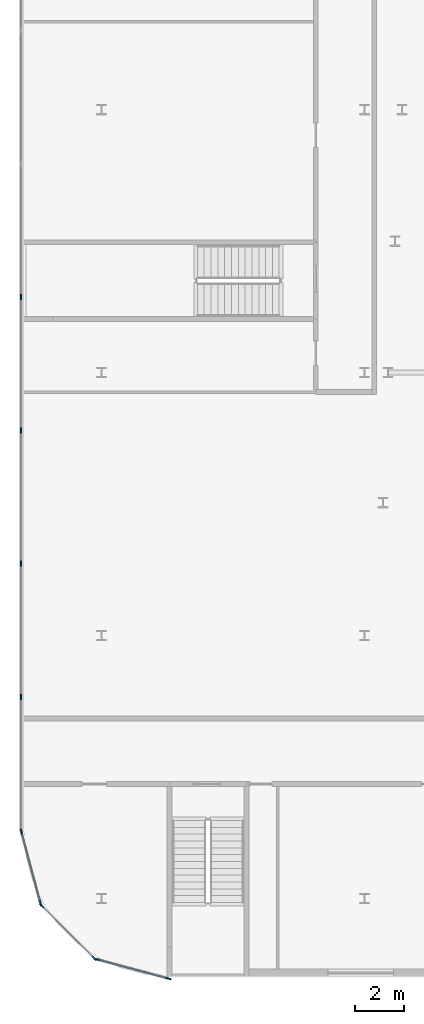
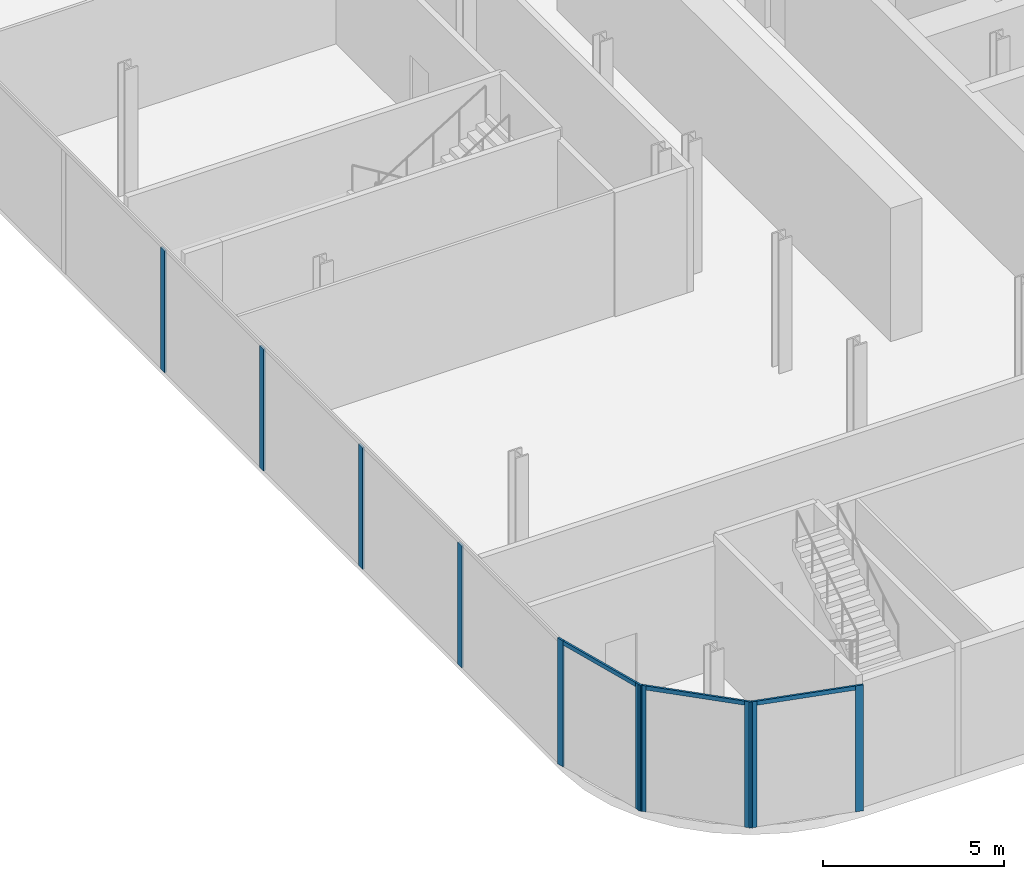
# One storey, part 6 of 47: 13 members, 4 elements without a shape of their own.
"""IFC4 building model written with IfcOpenShell, lengths in metres."""

from ifc_helpers import new_model, si_unit, direction, frame, origin, origin_2d, place, context, subcontext, project, spatial, rectangle, extrude, material, layer, layer_set, material_profile, profile_set, type_object, element, aggregate, save


model = new_model("IFC4")

# Units and contexts
model_context = context("Model", 3, precision=1e-05, world=origin(), true_north=direction((0.0, 1.0)))
body_context = subcontext(model_context, "Body", "Model", "MODEL_VIEW")
ifc_project = project(units=[si_unit("LENGTHUNIT", "METRE"), si_unit("AREAUNIT", "SQUARE_METRE"), si_unit("VOLUMEUNIT", "CUBIC_METRE"), si_unit("PLANEANGLEUNIT", "RADIAN"), si_unit("MASSUNIT", "GRAM", prefix="KILO")], contexts=[model_context])

# Site, building, storey
site_placement = place(None, origin())
site = spatial("IfcSite", under=ifc_project, at=site_placement, CompositionType="ELEMENT")
building_placement = place(site_placement, origin())
building = spatial("IfcBuilding", under=site, at=building_placement, Name="Kheshtan School and Residences Tower", CompositionType="ELEMENT")
storey_placement = place(building_placement, frame((0.0, 0.0, 21.5)))
storey = spatial("IfcBuildingStorey", under=building, at=storey_placement, Name="L04", CompositionType="ELEMENT", Elevation=21.5)

# Curtain wall, members
ifc_material_1 = material(Name="Clear low-e glass in thermally broken aluminium frame", Category="aluminium")
ifc_layer = layer(ifc_material_1, 0.22509765625)
ifc_layer_set = layer_set([ifc_layer], Name="Curtain wall CW-P")
curtain_wall_type = type_object("IfcCurtainWallType", Name="Curtain wall CW-P", PredefinedType="NOTDEFINED", material=ifc_layer_set)
curtain_wall_1_placement = place(storey_placement, origin())
curtain_wall_1 = element("IfcCurtainWall", 1, at=curtain_wall_1_placement, inside=storey, type_object=curtain_wall_type, Name="Curtain wall CWP13a", PredefinedType="NOTDEFINED")
ifc_material_2 = material(Name="Thermally broken aluminium, dark bronze anodised", Category="aluminium")
ifc_material_profile_1 = material_profile(ifc_material_2, rectangle(XDim=0.06005859375, YDim=0.22509765625, at=origin_2d()), Name="CW-P mullion 60x225")
ifc_profile_set_1 = profile_set([ifc_material_profile_1], Name="Thermally broken aluminium, dark bronze anodised")
member_type_1 = type_object("IfcMemberType", Name="CW-P mullion 60x225", PredefinedType="MULLION", material=ifc_profile_set_1)
member_1_placement = place(storey_placement, frame((17.945068359375, 9.9111328125, 0.0), z_axis=(0.0, 0.0, 1.0), x_axis=(-0.258864833085, -0.965913556273, 0.0)))
member_1 = element("IfcMember", 2, at=member_1_placement, type_object=member_type_1, Name="CWP13a mullion 1", PredefinedType="MULLION", context=body_context, shape_type="SweptSolid", body=[
    extrude(rectangle(XDim=0.06005859375, YDim=0.22509765625, at=origin_2d()), origin(), (0.0, 0.0, 1.0), 4.25),
])
member_2_placement = place(storey_placement, frame((15.003173828125, 10.69970703125, 0.0), z_axis=(0.0, 0.0, 1.0), x_axis=(-0.258864833085, -0.965913556273, 0.0)))
member_2 = element("IfcMember", 3, at=member_2_placement, type_object=member_type_1, Name="CWP13a mullion 2", PredefinedType="MULLION", context=body_context, shape_type="SweptSolid", body=[
    extrude(rectangle(XDim=0.06005859375, YDim=0.22509765625, at=origin_2d()), origin(), (0.0, 0.0, 1.0), 4.25),
])

curtain_wall_2_placement = place(storey_placement, origin())
curtain_wall_2 = element("IfcCurtainWall", 4, at=curtain_wall_2_placement, inside=storey, type_object=curtain_wall_type, Name="Curtain wall CWP14a", PredefinedType="NOTDEFINED")
member_3_placement = place(storey_placement, frame((14.907958984375, 10.75439453125, 0.0), z_axis=(0.0, 0.0, 1.0), x_axis=(-0.707106781187, -0.707106781187, 0.0)))
member_3 = element("IfcMember", 5, at=member_3_placement, type_object=member_type_1, Name="CWP14a mullion 1", PredefinedType="MULLION", context=body_context, shape_type="SweptSolid", body=[
    extrude(rectangle(XDim=0.06005859375, YDim=0.22509765625, at=origin_2d()), origin(), (0.0, 0.0, 1.0), 4.25),
])
member_4_placement = place(storey_placement, frame((12.75439453125, 12.907958984375, 0.0), z_axis=(0.0, 0.0, 1.0), x_axis=(-0.707106781187, -0.707106781187, 0.0)))
member_4 = element("IfcMember", 6, at=member_4_placement, type_object=member_type_1, Name="CWP14a mullion 2", PredefinedType="MULLION", context=body_context, shape_type="SweptSolid", body=[
    extrude(rectangle(XDim=0.06005859375, YDim=0.22509765625, at=origin_2d()), origin(), (0.0, 0.0, 1.0), 4.25),
])

curtain_wall_3_placement = place(storey_placement, origin())
curtain_wall_3 = element("IfcCurtainWall", 7, at=curtain_wall_3_placement, inside=storey, type_object=curtain_wall_type, Name="Curtain wall CWP15a", PredefinedType="NOTDEFINED")
member_5_placement = place(storey_placement, frame((12.69970703125, 13.003173828125, 0.0), z_axis=(0.0, 0.0, 1.0), x_axis=(-0.965913556273, -0.258864833085, 0.0)))
member_5 = element("IfcMember", 8, at=member_5_placement, type_object=member_type_1, Name="CWP15a mullion 1", PredefinedType="MULLION", context=body_context, shape_type="SweptSolid", body=[
    extrude(rectangle(XDim=0.06005859375, YDim=0.22509765625, at=origin_2d()), origin(), (0.0, 0.0, 1.0), 4.25),
])
member_6_placement = place(storey_placement, frame((11.9111328125, 15.945068359375, 0.0), z_axis=(0.0, 0.0, 1.0), x_axis=(-0.965913556273, -0.258864833085, 0.0)))
member_6 = element("IfcMember", 9, at=member_6_placement, type_object=member_type_1, Name="CWP15a mullion 2", PredefinedType="MULLION", context=body_context, shape_type="SweptSolid", body=[
    extrude(rectangle(XDim=0.06005859375, YDim=0.22509765625, at=origin_2d()), origin(), (0.0, 0.0, 1.0), 4.25),
])

curtain_wall_4_placement = place(storey_placement, origin())
curtain_wall_4 = element("IfcCurtainWall", 10, at=curtain_wall_4_placement, inside=storey, type_object=curtain_wall_type, Name="Curtain wall CWP16a", PredefinedType="NOTDEFINED")
member_7_placement = place(storey_placement, frame((11.89990234375, 21.4755859375, 0.0), z_axis=(0.0, 0.0, 1.0), x_axis=(-1.0, 0.0, 0.0)))
member_7 = element("IfcMember", 11, at=member_7_placement, type_object=member_type_1, Name="CWP16a mullion 2", PredefinedType="MULLION", context=body_context, shape_type="SweptSolid", body=[
    extrude(rectangle(XDim=0.06005859375, YDim=0.22509765625, at=origin_2d()), origin(), (0.0, 0.0, 1.0), 4.110107421875),
])
member_8_placement = place(storey_placement, frame((11.89990234375, 26.951171875, 0.0), z_axis=(0.0, 0.0, 1.0), x_axis=(-1.0, 0.0, 0.0)))
member_8 = element("IfcMember", 12, at=member_8_placement, type_object=member_type_1, Name="CWP16a mullion 3", PredefinedType="MULLION", context=body_context, shape_type="SweptSolid", body=[
    extrude(rectangle(XDim=0.06005859375, YDim=0.22509765625, at=origin_2d()), origin(), (0.0, 0.0, 1.0), 4.110107421875),
])
member_9_placement = place(storey_placement, frame((11.89990234375, 32.4267578125, 0.0), z_axis=(0.0, 0.0, 1.0), x_axis=(-1.0, 0.0, 0.0)))
member_9 = element("IfcMember", 13, at=member_9_placement, type_object=member_type_1, Name="CWP16a mullion 4", PredefinedType="MULLION", context=body_context, shape_type="SweptSolid", body=[
    extrude(rectangle(XDim=0.06005859375, YDim=0.22509765625, at=origin_2d()), origin(), (0.0, 0.0, 1.0), 4.110107421875),
])
member_10_placement = place(storey_placement, frame((11.89990234375, 37.90234375, 0.0), z_axis=(0.0, 0.0, 1.0), x_axis=(-1.0, 0.0, 0.0)))
member_10 = element("IfcMember", 14, at=member_10_placement, type_object=member_type_1, Name="CWP16a mullion 5", PredefinedType="MULLION", context=body_context, shape_type="SweptSolid", body=[
    extrude(rectangle(XDim=0.06005859375, YDim=0.22509765625, at=origin_2d()), origin(), (0.0, 0.0, 1.0), 4.110107421875),
])
aggregate(curtain_wall_4, [member_7, member_8, member_9, member_10])

# Member
ifc_material_profile_2 = material_profile(ifc_material_2, rectangle(XDim=0.06005859375, YDim=0.139892578125, at=origin_2d()), Name="CW-P transom 60x140")
ifc_profile_set_2 = profile_set([ifc_material_profile_2], Name="Thermally broken aluminium, dark bronze anodised")
member_type_2 = type_object("IfcMemberType", Name="CW-P transom 60x140", PredefinedType="USERDEFINED", material=ifc_profile_set_2)
member_11_placement = place(storey_placement, frame((17.916259765625, 9.9189453125, 4.179931640625), z_axis=(-0.965916663607, 0.258853238275, 0.0), x_axis=(-0.258853238275, -0.965916663607, 0.0)))
member_11 = element("IfcMember", 15, at=member_11_placement, type_object=member_type_2, Name="CWP13a transom 1", ObjectType="TRANSOM", PredefinedType="USERDEFINED", context=body_context, shape_type="SweptSolid", body=[
    extrude(rectangle(XDim=0.06005859375, YDim=0.139892578125, at=origin_2d()), origin(), (0.0, 0.0, 1.0), 2.986083984375),
])

aggregate(curtain_wall_1, [member_1, member_2, member_11])

member_12_placement = place(storey_placement, frame((14.886962890625, 10.775634765625, 4.179931640625), z_axis=(-0.707106781187, 0.707106781187, 0.0), x_axis=(-0.707106781187, -0.707106781187, 0.0)))
member_12 = element("IfcMember", 16, at=member_12_placement, type_object=member_type_2, Name="CWP14a transom 1", ObjectType="TRANSOM", PredefinedType="USERDEFINED", context=body_context, shape_type="SweptSolid", body=[
    extrude(rectangle(XDim=0.06005859375, YDim=0.139892578125, at=origin_2d()), origin(), (0.0, 0.0, 1.0), 2.98583984375),
])

aggregate(curtain_wall_2, [member_3, member_4, member_12])

member_13_placement = place(storey_placement, frame((12.69189453125, 13.031982421875, 4.179931640625), z_axis=(-0.258853238275, 0.965916663607, 0.0), x_axis=(-0.965916663607, -0.258853238275, 0.0)))
member_13 = element("IfcMember", 17, at=member_13_placement, type_object=member_type_2, Name="CWP15a transom 1", ObjectType="TRANSOM", PredefinedType="USERDEFINED", context=body_context, shape_type="SweptSolid", body=[
    extrude(rectangle(XDim=0.06005859375, YDim=0.139892578125, at=origin_2d()), origin(), (0.0, 0.0, 1.0), 2.986083984375),
])

aggregate(curtain_wall_3, [member_5, member_6, member_13])

save(model, "model.ifc")
